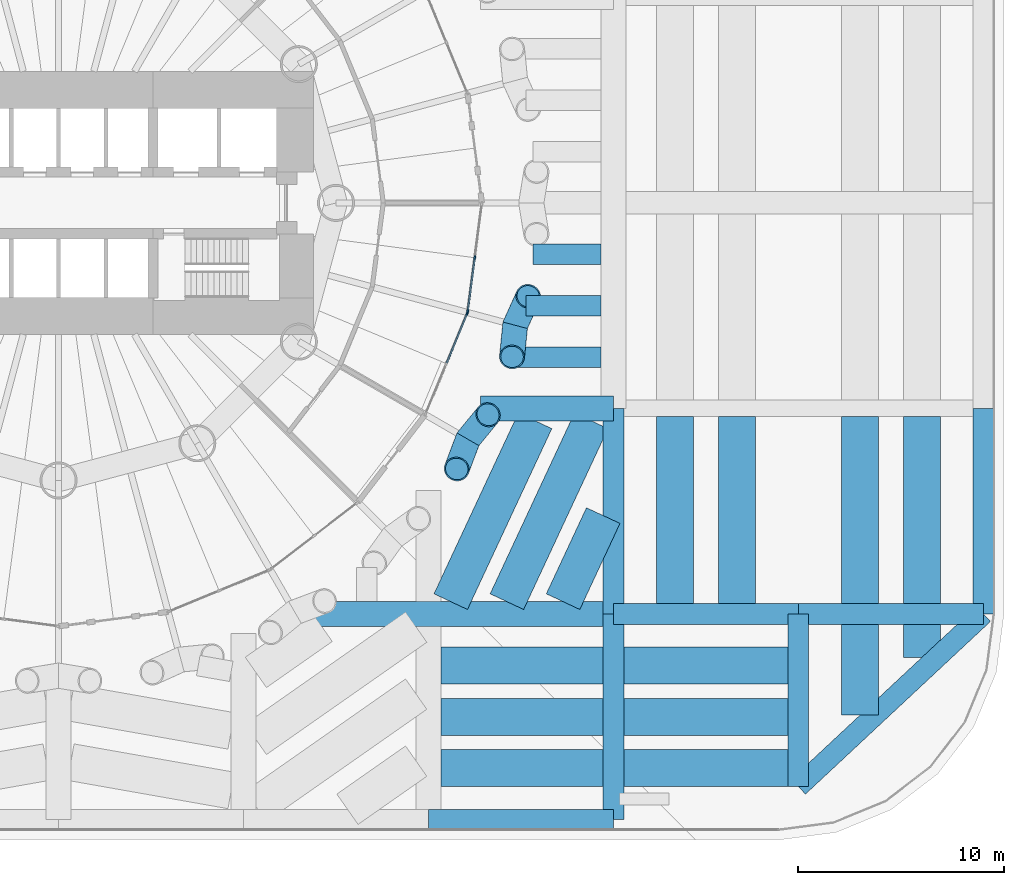
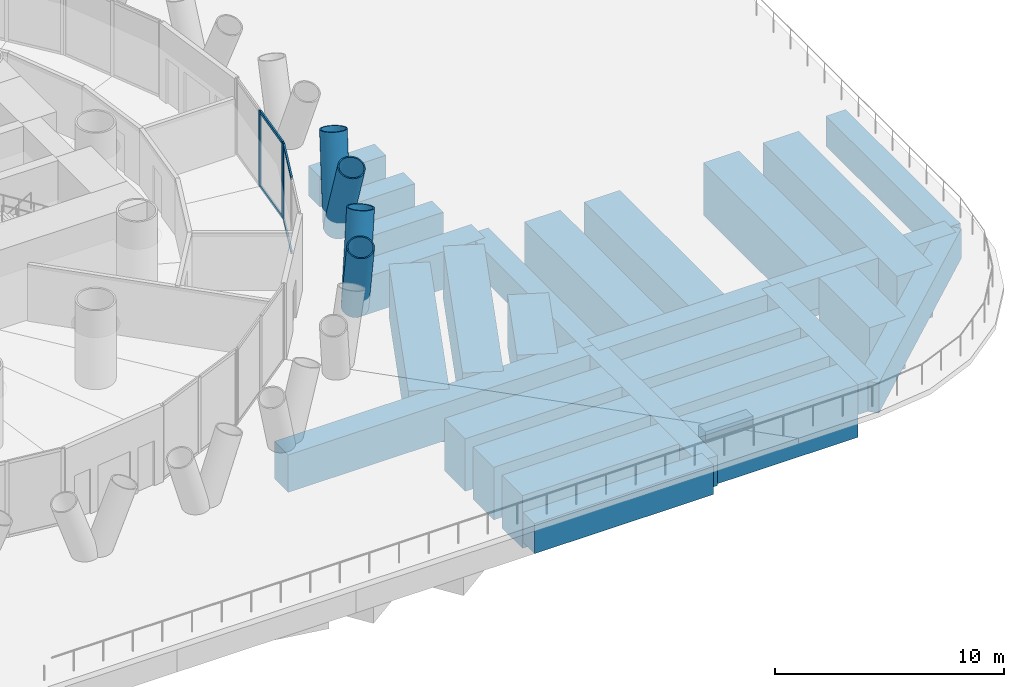
# One storey, part 9 of 19: 27 beams, 11 members, 2 elements without a shape of their own.
"""IFC4 building model written with IfcOpenShell, lengths in metres."""

from ifc_helpers import new_model, si_unit, direction, frame, origin, origin_2d, place, context, subcontext, project, spatial, rectangle, hollow_circle, extrude, material, material_profile, profile_set, type_object, element, aggregate, save


model = new_model("IFC4")

# Units and contexts
model_context = context("Model", 3, precision=1e-05, world=origin(), true_north=direction((0.0, 1.0)))
body_context = subcontext(model_context, "Body", "Model", "MODEL_VIEW")
ifc_project = project(units=[si_unit("LENGTHUNIT", "METRE"), si_unit("AREAUNIT", "SQUARE_METRE"), si_unit("VOLUMEUNIT", "CUBIC_METRE"), si_unit("PLANEANGLEUNIT", "RADIAN"), si_unit("MASSUNIT", "GRAM", prefix="KILO")], contexts=[model_context])

# Site, building, storey
site_placement = place(None, origin())
site = spatial("IfcSite", under=ifc_project, at=site_placement, CompositionType="ELEMENT")
building_placement = place(site_placement, origin())
building = spatial("IfcBuilding", under=site, at=building_placement, Name="Qaws Media Tower", CompositionType="ELEMENT")
storey_placement = place(building_placement, frame((0.0, 0.0, 26.0)))
storey = spatial("IfcBuildingStorey", under=building, at=storey_placement, Name="L04", CompositionType="ELEMENT", Elevation=26.0)

# Curtain wall, member
ifc_material_1 = material(Name="Aluminium and clear glass", Category="aluminium")
curtain_wall_type = type_object("IfcCurtainWallType", Name="Unitised curtain wall CW-A", PredefinedType="NOTDEFINED", material=ifc_material_1)
curtain_wall_1_placement = place(storey_placement, origin())
curtain_wall_1 = element("IfcCurtainWall", 1, at=curtain_wall_1_placement, inside=storey, type_object=curtain_wall_type, Name="CWA curtain wall L04-23", PredefinedType="NOTDEFINED")
ifc_material_2 = material(Name="Aluminium mullion", Category="aluminium")
ifc_material_profile_1 = material_profile(ifc_material_2, rectangle(XDim=0.080078125, YDim=0.199951171875, at=origin_2d()), Name="80x200")
ifc_profile_set_1 = profile_set([ifc_material_profile_1], Name="Aluminium mullion")
member_type_1 = type_object("IfcMemberType", Name="Curtain wall mullion 80x200", PredefinedType="MULLION", material=ifc_profile_set_1)
member_1_placement = place(storey_placement, frame((79.8828125, 44.63134765625, 0.0), z_axis=(0.0, 0.0, 1.0), x_axis=(-0.923879521985, 0.382683457778, 0.0)))
member_1 = element("IfcMember", 2, at=member_1_placement, type_object=member_type_1, Name="CWA mullion 3", PredefinedType="MULLION", context=body_context, shape_type="SweptSolid", body=[
    extrude(rectangle(XDim=0.080078125, YDim=0.199951171875, at=origin_2d()), origin(), (0.0, 0.0, 1.0), 4.0400390625),
])

# Curtain wall, members
curtain_wall_2_placement = place(storey_placement, origin())
curtain_wall_2 = element("IfcCurtainWall", 3, at=curtain_wall_2_placement, inside=storey, type_object=curtain_wall_type, Name="CWA curtain wall L04-24", PredefinedType="NOTDEFINED")
member_2_placement = place(storey_placement, frame((79.9033203125, 44.7080078125, 0.0), z_axis=(0.0, 0.0, 1.0), x_axis=(-0.991444859813, 0.130526204073, 0.0)))
member_2 = element("IfcMember", 4, at=member_2_placement, type_object=member_type_1, Name="CWA mullion 1", PredefinedType="MULLION", context=body_context, shape_type="SweptSolid", body=[
    extrude(rectangle(XDim=0.080078125, YDim=0.199951171875, at=origin_2d()), origin(), (0.0, 0.0, 1.0), 4.0400390625),
])
member_3_placement = place(storey_placement, frame((80.2490234375, 47.334228515625, 0.0), z_axis=(0.0, 0.0, 1.0), x_axis=(-0.991444859813, 0.130526204073, 0.0)))
member_3 = element("IfcMember", 5, at=member_3_placement, type_object=member_type_1, Name="CWA mullion 2", PredefinedType="MULLION", context=body_context, shape_type="SweptSolid", body=[
    extrude(rectangle(XDim=0.080078125, YDim=0.199951171875, at=origin_2d()), origin(), (0.0, 0.0, 1.0), 4.0400390625),
])

# Member
ifc_material_3 = material(Name="Aluminium transom", Category="aluminium")
ifc_material_profile_2 = material_profile(ifc_material_3, rectangle(XDim=0.080078125, YDim=0.159912109375, at=origin_2d()), Name="80x160")
ifc_profile_set_2 = profile_set([ifc_material_profile_2], Name="Aluminium transom")
member_type_2 = type_object("IfcMemberType", Name="Curtain wall transom 80x160", PredefinedType="USERDEFINED", material=ifc_profile_set_2)
member_4_placement = place(storey_placement, frame((78.884521484375, 42.22119140625, 0.0400390625), z_axis=(0.382637188535, 0.923898685977, 0.0), x_axis=(-0.923898685977, 0.382637188535, 0.0)))
member_4 = element("IfcMember", 6, at=member_4_placement, type_object=member_type_2, Name="CWA transom 2.1", ObjectType="TRANSOM", PredefinedType="USERDEFINED", context=body_context, shape_type="SweptSolid", body=[
    extrude(rectangle(XDim=0.080078125, YDim=0.159912109375, at=origin_2d()), origin(), (0.0, 0.0, 1.0), 2.56884765625),
])

member_5_placement = place(storey_placement, frame((78.884521484375, 42.22119140625, 4.0), z_axis=(0.382637188535, 0.923898685977, 0.0), x_axis=(-0.923898685977, 0.382637188535, 0.0)))
member_5 = element("IfcMember", 7, at=member_5_placement, type_object=member_type_2, Name="CWA transom 2.2", ObjectType="TRANSOM", PredefinedType="USERDEFINED", context=body_context, shape_type="SweptSolid", body=[
    extrude(rectangle(XDim=0.080078125, YDim=0.159912109375, at=origin_2d()), origin(), (0.0, 0.0, 1.0), 2.56884765625),
])

aggregate(curtain_wall_1, [member_1, member_4, member_5])

member_6_placement = place(storey_placement, frame((79.908447265625, 44.74755859375, 0.0400390625), z_axis=(0.130582350348, 0.991437466398, 0.0), x_axis=(-0.991437466398, 0.130582350348, 0.0)))
member_6 = element("IfcMember", 8, at=member_6_placement, type_object=member_type_2, Name="CWA transom 1.1", ObjectType="TRANSOM", PredefinedType="USERDEFINED", context=body_context, shape_type="SweptSolid", body=[
    extrude(rectangle(XDim=0.080078125, YDim=0.159912109375, at=origin_2d()), origin(), (0.0, 0.0, 1.0), 2.56884765625),
])

member_7_placement = place(storey_placement, frame((79.908447265625, 44.74755859375, 4.0), z_axis=(0.130582350348, 0.991437466398, 0.0), x_axis=(-0.991437466398, 0.130582350348, 0.0)))
member_7 = element("IfcMember", 9, at=member_7_placement, type_object=member_type_2, Name="CWA transom 1.2", ObjectType="TRANSOM", PredefinedType="USERDEFINED", context=body_context, shape_type="SweptSolid", body=[
    extrude(rectangle(XDim=0.080078125, YDim=0.159912109375, at=origin_2d()), origin(), (0.0, 0.0, 1.0), 2.56884765625),
])

aggregate(curtain_wall_2, [member_2, member_3, member_6, member_7])

# Members
ifc_material_4 = material(Name="Steel S460", Category="steel")
ifc_material_profile_3 = material_profile(ifc_material_4, hollow_circle(Radius=0.609619140625, WallThickness=0.06005859375, at=origin_2d()), Name="CHS 1219x60")
ifc_profile_set_3 = profile_set([ifc_material_profile_3], Name="Steel S460")
member_type_3 = type_object("IfcMemberType", Name="Diagrid member CHS 1219x60", PredefinedType="USERDEFINED", material=ifc_profile_set_3)
for number, where, z_axis, x_axis, name in (
    (10, (79.918701171875, 38.5, -0.909912109375), (0.218671012683, 0.266955405454, 0.93857221337), (-0.77359792083, 0.633676776351, 0.0), "DG1 diagrid L04 A23"),
    (11, (79.918701171875, 38.5, -0.909912109375), (-0.121882547389, -0.322874178804, 0.938561084482), (0.935560331007, -0.353166911029, 0.0), "DG1 diagrid L04 B23"),
    (12, (82.21630859375, 44.047119140625, -0.909912109375), (0.142124356415, 0.314474007821, 0.938566335279), (-0.911257699186, 0.411836624979, 0.0), "DG1 diagrid L04 A24"),
    (13, (82.21630859375, 44.047119140625, -0.909912109375), (-0.034153665458, -0.343391645998, 0.938571097251), (0.99509027013, -0.098971482221, 0.0), "DG1 diagrid L04 B24"),
):
    element("IfcMember", number, at=place(storey_placement, frame(where, z_axis=z_axis, x_axis=x_axis)), inside=storey, type_object=member_type_3, Name=name, ObjectType="DIAGRID", PredefinedType="USERDEFINED", context=body_context, shape_type="SweptSolid", body=[
        extrude(hollow_circle(Radius=0.609619140625, WallThickness=0.06005859375, at=origin_2d()), origin(), (0.0, 0.0, 1.0), 4.474853515625),
    ])

# Beams
ifc_material_5 = material(Name="Concrete C60/75", Category="concrete")
ifc_material_profile_4 = material_profile(ifc_material_5, rectangle(XDim=1.199951171875, YDim=2.0, at=origin_2d()), Name="RC 1200x2000")
ifc_profile_set_4 = profile_set([ifc_material_profile_4], Name="Concrete C60/75")
beam_type_1 = type_object("IfcBeamType", Name="Podium long trimmer beam RC 1200x2000", PredefinedType="BEAM", material=ifc_profile_set_4)
beam_1_placement = place(storey_placement, frame((87.0, 30.0, -1.300048828125), z_axis=(-1.0, 0.0, 0.0), x_axis=(0.0, -1.0, 0.0)))
element("IfcBeam", 14, at=beam_1_placement, inside=storey, type_object=beam_type_1, Name="PB11 beam 9/B to the tower ring", PredefinedType="BEAM", context=body_context, shape_type="SweptSolid", body=[
    extrude(rectangle(XDim=1.199951171875, YDim=2.0, at=origin_2d()), origin(), (0.0, 0.0, 1.0), 15.696533203125),
])
ifc_material_6 = material(Name="Concrete C60/75", Category="concrete")
ifc_material_profile_5 = material_profile(ifc_material_6, rectangle(XDim=1.0, YDim=1.60009765625, at=origin_2d()), Name="RC 1000x1600")
ifc_profile_set_5 = profile_set([ifc_material_profile_5], Name="Concrete C60/75")
beam_type_2 = type_object("IfcBeamType", Name="Podium roof girder RC 1000x1600", PredefinedType="BEAM", material=ifc_profile_set_5)
for number, where, z_axis, x_axis, name in (
    (15, (78.0, 20.0, -1.10009765625), (1.0, 0.0, 0.0), (0.0, 1.0, 0.0), "PB10 beam 8-9/A"),
    (16, (87.0, 30.0, -1.10009765625), (1.0, 0.0, 0.0), (0.0, 1.0, 0.0), "PB10 beam 9-10/B"),
    (17, (96.0, 30.0, -1.10009765625), (1.0, 0.0, 0.0), (0.0, 1.0, 0.0), "PB10 beam 10-11/B"),
):
    element("IfcBeam", number, at=place(storey_placement, frame(where, z_axis=z_axis, x_axis=x_axis)), inside=storey, type_object=beam_type_2, Name=name, PredefinedType="BEAM", context=body_context, shape_type="SweptSolid", body=[
        extrude(rectangle(XDim=1.0, YDim=1.60009765625, at=origin_2d()), origin(), (0.0, 0.0, 1.0), 9.0),
    ])
for number, where, z_axis, x_axis, name in (
    (18, (87.0, 20.0, -1.10009765625), (0.0, 1.0, 0.0), (-1.0, 0.0, 0.0), "PB10 beam 9/A-B"),
    (19, (87.0, 30.0, -1.10009765625), (0.0, 1.0, 0.0), (-1.0, 0.0, 0.0), "PB10 beam 9/B-C"),
):
    element("IfcBeam", number, at=place(storey_placement, frame(where, z_axis=z_axis, x_axis=x_axis)), inside=storey, type_object=beam_type_2, Name=name, PredefinedType="BEAM", context=body_context, shape_type="SweptSolid", body=[
        extrude(rectangle(XDim=1.0, YDim=1.60009765625, at=origin_2d()), origin(), (0.0, 0.0, 1.0), 10.0),
    ])
beam_2_placement = place(storey_placement, frame((96.0, 21.60009765625, -1.10009765625), z_axis=(0.0, 1.0, 0.0), x_axis=(-1.0, 0.0, 0.0)))
element("IfcBeam", 20, at=beam_2_placement, inside=storey, type_object=beam_type_2, Name="PB10 beam 10/A-B", PredefinedType="BEAM", context=body_context, shape_type="SweptSolid", body=[
    extrude(rectangle(XDim=1.0, YDim=1.60009765625, at=origin_2d()), origin(), (0.0, 0.0, 1.0), 8.39990234375),
])
beam_3_placement = place(storey_placement, frame((105.0, 30.0, -1.10009765625), z_axis=(0.0, 1.0, 0.0), x_axis=(-1.0, 0.0, 0.0)))
element("IfcBeam", 21, at=beam_3_placement, inside=storey, type_object=beam_type_2, Name="PB10 beam 11/B-C", PredefinedType="BEAM", context=body_context, shape_type="SweptSolid", body=[
    extrude(rectangle(XDim=1.0, YDim=1.60009765625, at=origin_2d()), origin(), (0.0, 0.0, 1.0), 10.0),
])
beam_4_placement = place(storey_placement, frame((105.0, 30.0, -1.10009765625), z_axis=(-0.73105922506, -0.682314010889, 0.0), x_axis=(0.682314010889, -0.73105922506, 0.0)))
element("IfcBeam", 22, at=beam_4_placement, inside=storey, type_object=beam_type_2, Name="PB10 beam 11/B-10/A", PredefinedType="BEAM", context=body_context, shape_type="SweptSolid", body=[
    extrude(rectangle(XDim=1.0, YDim=1.60009765625, at=origin_2d()), origin(), (0.0, 0.0, 1.0), 12.310791015625),
])
ifc_material_7 = material(Name="Concrete C60/75", Category="concrete")
ifc_material_profile_6 = material_profile(ifc_material_7, rectangle(XDim=1.0, YDim=1.60009765625, at=origin_2d()), Name="RC 1000x1600")
ifc_profile_set_6 = profile_set([ifc_material_profile_6], Name="Concrete C60/75")
beam_type_3 = type_object("IfcBeamType", Name="Podium roof ring secondary beam RC 1000x1600", PredefinedType="BEAM", material=ifc_profile_set_6)
beam_5_placement = place(storey_placement, frame((82.00830078125, 42.5, -1.10009765625), z_axis=(1.0, 0.0, 0.0), x_axis=(0.0, 1.0, 0.0)))
element("IfcBeam", 23, at=beam_5_placement, inside=storey, type_object=beam_type_3, Name="PB13 beam bay 8C line 1", PredefinedType="BEAM", context=body_context, shape_type="SweptSolid", body=[
    extrude(rectangle(XDim=1.0, YDim=1.60009765625, at=origin_2d()), origin(), (0.0, 0.0, 1.0), 4.3916015625),
])
beam_6_placement = place(storey_placement, frame((82.7451171875, 45.0, -1.10009765625), z_axis=(1.0, 0.0, 0.0), x_axis=(0.0, 1.0, 0.0)))
element("IfcBeam", 24, at=beam_6_placement, inside=storey, type_object=beam_type_3, Name="PB13 beam bay 8C line 2", PredefinedType="BEAM", context=body_context, shape_type="SweptSolid", body=[
    extrude(rectangle(XDim=1.0, YDim=1.60009765625, at=origin_2d()), origin(), (0.0, 0.0, 1.0), 3.65478515625),
])
beam_7_placement = place(storey_placement, frame((83.07421875, 47.5, -1.10009765625), z_axis=(1.0, 0.0, 0.0), x_axis=(0.0, 1.0, 0.0)))
element("IfcBeam", 25, at=beam_7_placement, inside=storey, type_object=beam_type_3, Name="PB13 beam bay 8C line 3", PredefinedType="BEAM", context=body_context, shape_type="SweptSolid", body=[
    extrude(rectangle(XDim=1.0, YDim=1.60009765625, at=origin_2d()), origin(), (0.0, 0.0, 1.0), 3.32568359375),
])
ifc_material_8 = material(Name="Concrete C60/75", Category="concrete")
ifc_material_profile_7 = material_profile(ifc_material_8, rectangle(XDim=1.800048828125, YDim=2.800048828125, at=origin_2d()), Name="RC 1800x2800")
ifc_profile_set_7 = profile_set([ifc_material_profile_7], Name="Concrete C60/75")
beam_type_4 = type_object("IfcBeamType", Name="Podium roof secondary beam RC 1800x2800", PredefinedType="BEAM", material=ifc_profile_set_7)
for number, where, z_axis, x_axis, name in (
    (26, (78.60009765625, 22.5, -1.699951171875), (1.0, 0.0, 0.0), (0.0, 1.0, 0.0), "PB8 beam bay 8A line 1"),
    (27, (78.60009765625, 25.0, -1.699951171875), (1.0, 0.0, 0.0), (0.0, 1.0, 0.0), "PB8 beam bay 8A line 2"),
    (28, (78.60009765625, 27.5, -1.699951171875), (1.0, 0.0, 0.0), (0.0, 1.0, 0.0), "PB8 beam bay 8A line 3"),
):
    element("IfcBeam", number, at=place(storey_placement, frame(where, z_axis=z_axis, x_axis=x_axis)), inside=storey, type_object=beam_type_4, Name=name, PredefinedType="BEAM", context=body_context, shape_type="SweptSolid", body=[
        extrude(rectangle(XDim=1.800048828125, YDim=2.800048828125, at=origin_2d()), origin(), (0.0, 0.0, 1.0), 7.89990234375),
    ])
beam_8_placement = place(storey_placement, frame((84.547119140625, 30.60009765625, -1.699951171875), z_axis=(0.422636695066, 0.906299191208, 0.0), x_axis=(-0.906299191208, 0.422636695066, 0.0)))
element("IfcBeam", 29, at=beam_8_placement, inside=storey, type_object=beam_type_4, Name="PB8 beam bay 8B line 1", PredefinedType="BEAM", context=body_context, shape_type="SweptSolid", body=[
    extrude(rectangle(XDim=1.800048828125, YDim=2.800048828125, at=origin_2d()), origin(), (0.0, 0.0, 1.0), 4.62060546875),
])
for number, where, z_axis, x_axis, name in (
    (30, (81.814453125, 30.60009765625, -1.699951171875), (0.422626662909, 0.90630386946, 0.0), (-0.90630386946, 0.422626662909, 0.0), "PB8 beam bay 8B line 2"),
    (31, (79.08203125, 30.60009765625, -1.699951171875), (0.422626662909, 0.90630386946, 0.0), (-0.90630386946, 0.422626662909, 0.0), "PB8 beam bay 8B line 3"),
):
    element("IfcBeam", number, at=place(storey_placement, frame(where, z_axis=z_axis, x_axis=x_axis)), inside=storey, type_object=beam_type_4, Name=name, PredefinedType="BEAM", context=body_context, shape_type="SweptSolid", body=[
        extrude(rectangle(XDim=1.800048828125, YDim=2.800048828125, at=origin_2d()), origin(), (0.0, 0.0, 1.0), 9.70947265625),
    ])
for number, where, z_axis, x_axis, name in (
    (32, (87.5, 22.5, -1.699951171875), (1.0, 0.0, 0.0), (0.0, 1.0, 0.0), "PB8 beam bay 9A line 1"),
    (33, (87.5, 25.0, -1.699951171875), (1.0, 0.0, 0.0), (0.0, 1.0, 0.0), "PB8 beam bay 9A line 2"),
    (34, (87.5, 27.5, -1.699951171875), (1.0, 0.0, 0.0), (0.0, 1.0, 0.0), "PB8 beam bay 9A line 3"),
):
    element("IfcBeam", number, at=place(storey_placement, frame(where, z_axis=z_axis, x_axis=x_axis)), inside=storey, type_object=beam_type_4, Name=name, PredefinedType="BEAM", context=body_context, shape_type="SweptSolid", body=[
        extrude(rectangle(XDim=1.800048828125, YDim=2.800048828125, at=origin_2d()), origin(), (0.0, 0.0, 1.0), 8.0),
    ])
for number, where, z_axis, x_axis, name in (
    (35, (93.0, 30.5, -1.699951171875), (0.0, 1.0, 0.0), (-1.0, 0.0, 0.0), "PB8 beam bay 9B line 1"),
    (36, (90.0, 30.5, -1.699951171875), (0.0, 1.0, 0.0), (-1.0, 0.0, 0.0), "PB8 beam bay 9B line 2"),
):
    element("IfcBeam", number, at=place(storey_placement, frame(where, z_axis=z_axis, x_axis=x_axis)), inside=storey, type_object=beam_type_4, Name=name, PredefinedType="BEAM", context=body_context, shape_type="SweptSolid", body=[
        extrude(rectangle(XDim=1.800048828125, YDim=2.800048828125, at=origin_2d()), origin(), (0.0, 0.0, 1.0), 9.10009765625),
    ])
beam_9_placement = place(storey_placement, frame((99.0, 25.083984375, -1.699951171875), z_axis=(0.0, 1.0, 0.0), x_axis=(-1.0, 0.0, 0.0)))
element("IfcBeam", 37, at=beam_9_placement, inside=storey, type_object=beam_type_4, Name="PB8 beam bay 10A line 2", PredefinedType="BEAM", context=body_context, shape_type="SweptSolid", body=[
    extrude(rectangle(XDim=1.800048828125, YDim=2.800048828125, at=origin_2d()), origin(), (0.0, 0.0, 1.0), 4.416015625),
])
beam_10_placement = place(storey_placement, frame((102.0, 27.884033203125, -1.699951171875), z_axis=(0.0, 1.0, 0.0), x_axis=(-1.0, 0.0, 0.0)))
element("IfcBeam", 38, at=beam_10_placement, inside=storey, type_object=beam_type_4, Name="PB8 beam bay 10B line 1", PredefinedType="BEAM", context=body_context, shape_type="SweptSolid", body=[
    extrude(rectangle(XDim=1.800048828125, YDim=2.800048828125, at=origin_2d()), origin(), (0.0, 0.0, 1.0), 11.716064453125),
])
beam_11_placement = place(storey_placement, frame((99.0, 30.5, -1.699951171875), z_axis=(0.0, 1.0, 0.0), x_axis=(-1.0, 0.0, 0.0)))
element("IfcBeam", 39, at=beam_11_placement, inside=storey, type_object=beam_type_4, Name="PB8 beam bay 10B line 2", PredefinedType="BEAM", context=body_context, shape_type="SweptSolid", body=[
    extrude(rectangle(XDim=1.800048828125, YDim=2.800048828125, at=origin_2d()), origin(), (0.0, 0.0, 1.0), 9.10009765625),
])
ifc_material_9 = material(Name="Concrete C60/75", Category="concrete")
ifc_material_profile_8 = material_profile(ifc_material_9, rectangle(XDim=1.199951171875, YDim=2.0, at=origin_2d()), Name="RC 1200x2000")
ifc_profile_set_8 = profile_set([ifc_material_profile_8], Name="Concrete C60/75")
beam_type_5 = type_object("IfcBeamType", Name="Podium trimmer beam RC 1200x2000", PredefinedType="BEAM", material=ifc_profile_set_8)
beam_12_placement = place(storey_placement, frame((87.0, 40.0, -1.300048828125), z_axis=(-1.0, 0.0, 0.0), x_axis=(0.0, -1.0, 0.0)))
element("IfcBeam", 40, at=beam_12_placement, inside=storey, type_object=beam_type_5, Name="PB4 beam 9/C to the tower ring", PredefinedType="BEAM", context=body_context, shape_type="SweptSolid", body=[
    extrude(rectangle(XDim=1.199951171875, YDim=2.0, at=origin_2d()), origin(), (0.0, 0.0, 1.0), 6.460205078125),
])

save(model, "model.ifc")
